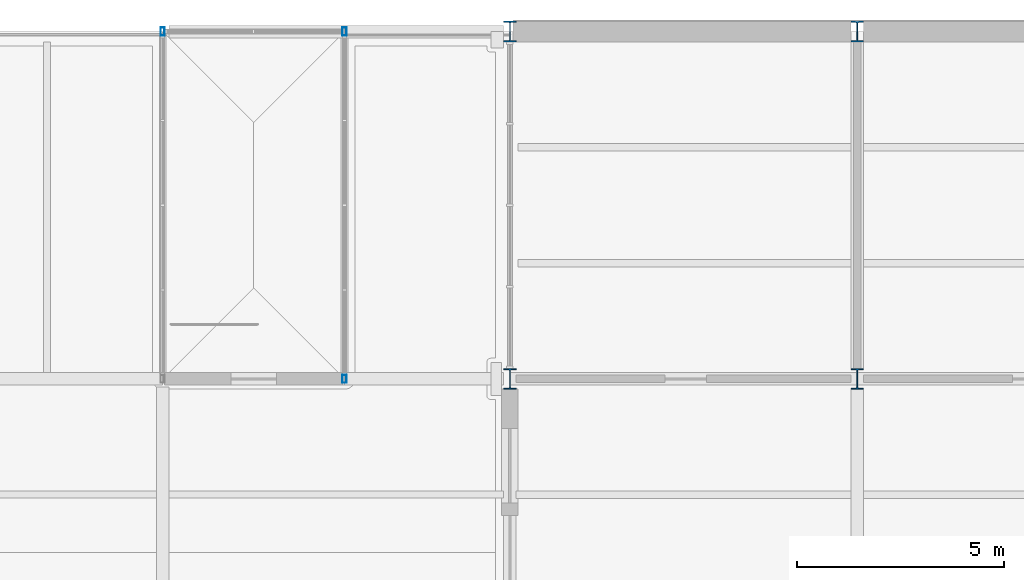
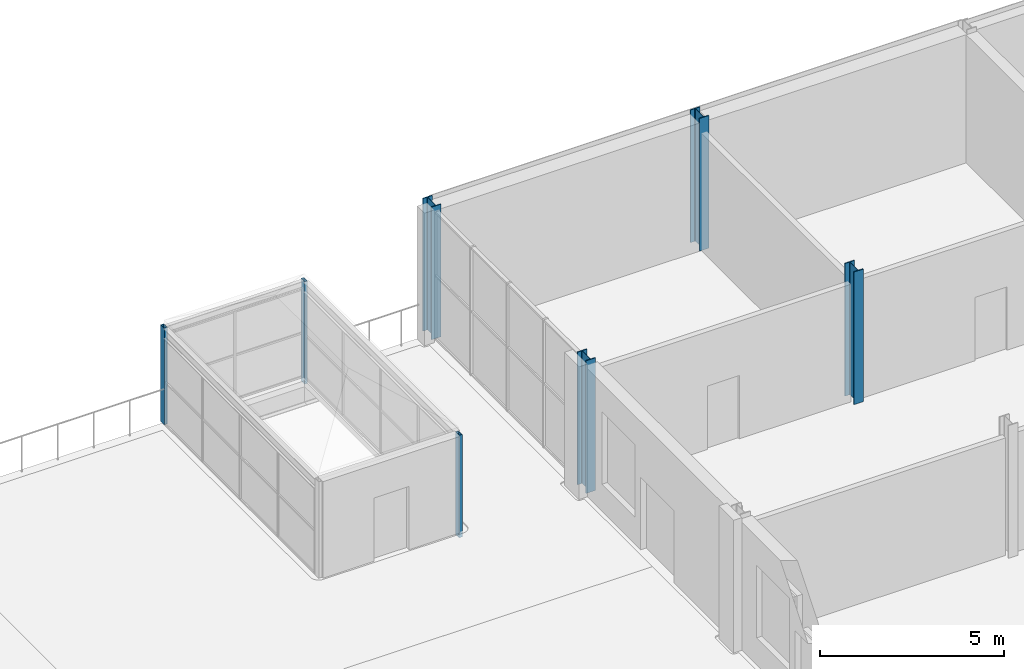
# One storey, part 9 of 58: 7 columns.
"""IFC4 building model written with IfcOpenShell, lengths in metres."""

import ifcopenshell
import ifcopenshell.guid

model = None  # the IFC model being written
_history = None  # IfcOwnerHistory: only IFC2X3 demands one
_inside = {}  # id of a spatial element -> (the spatial element, [elements in it])
_under = {}  # id of a project, library or spatial element -> (it, [spatial elements below it])
_declared = {}  # id of a project -> (the project, [libraries it declares])
_typed = {}  # id of a type object -> (the type object, [elements of that type])
_made_of = {}  # id of a material, layer set ... -> (it, [elements and type objects made of it])


def new_model(schema):
    """Start an empty IFC model of exactly this schema.

    Asked for "IFC4X3", IfcOpenShell would pick the latest addendum, in which some entities
    have other attributes; the version numbers below select the first issue.
    IFC2X3 requires an IfcOwnerHistory on every rooted entity: one is made here for all.
    """
    global model, _history
    if schema == "IFC4X3":
        model = ifcopenshell.file(schema_version=(4, 3, 0, 0))
    else:
        model = ifcopenshell.file(schema=schema)
    _inside.clear()
    _under.clear()
    _declared.clear()
    _typed.clear()
    _made_of.clear()
    _history = None
    if model.schema == "IFC2X3":
        org = make("IfcOrganization", Name="unknown")
        user = make(
            "IfcPersonAndOrganization",
            ThePerson=make("IfcPerson", FamilyName="unknown"),
            TheOrganization=org,
        )
        app = make(
            "IfcApplication",
            ApplicationDeveloper=org,
            Version="unknown",
            ApplicationFullName="unknown",
            ApplicationIdentifier="unknown",
        )
        _history = make(
            "IfcOwnerHistory",
            OwningUser=user,
            OwningApplication=app,
            ChangeAction="ADDED",
            CreationDate=0,
        )
    return model


def make(cls, **values):
    """One entity of the class cls with the attributes given. An attribute that is None is left unset."""
    return model.create_entity(
        cls, **{name: value for name, value in values.items() if value is not None}
    )


def rooted(cls, **values):
    """An entity with a GlobalId (a new one), such as an element, a storey or a relation."""
    return make(cls, GlobalId=ifcopenshell.guid.new(), OwnerHistory=_history, **values)


def si_unit(unit_type, name, prefix=None):
    """IfcSIUnit, for example si_unit("LENGTHUNIT", "METRE", prefix="MILLI")."""
    return make("IfcSIUnit", UnitType=unit_type, Prefix=prefix, Name=name)


def assignment(units):
    """IfcUnitAssignment: the units of a project."""
    return None if units is None else make("IfcUnitAssignment", Units=units)


def point(xyz):
    """IfcCartesianPoint."""
    return None if xyz is None else make("IfcCartesianPoint", Coordinates=xyz)


def direction(xyz):
    """IfcDirection."""
    return None if xyz is None else make("IfcDirection", DirectionRatios=xyz)


def frame(location, z_axis=None, x_axis=None):
    """IfcAxis2Placement3D, a coordinate frame: its origin and axes. An axis left out is left unset."""
    return make(
        "IfcAxis2Placement3D",
        Location=point(location),
        Axis=direction(z_axis),
        RefDirection=direction(x_axis),
    )


def frame_2d(location, x_axis=None):
    """IfcAxis2Placement2D, a coordinate frame in the plane: its origin and x axis."""
    return make(
        "IfcAxis2Placement2D", Location=point(location), RefDirection=direction(x_axis)
    )


def origin():
    """The frame at (0, 0, 0) with its axes left unset."""
    return frame((0.0, 0.0, 0.0))


def origin_2d():
    """The frame at (0, 0) in the plane with its x axis left unset."""
    return frame_2d((0.0, 0.0))


def place(relative_to, where):
    """IfcLocalPlacement: puts the frame where relative to a parent placement (None: the world)."""
    return make(
        "IfcLocalPlacement", PlacementRelTo=relative_to, RelativePlacement=where
    )


def context(
    kind, dimensions, precision=None, world=None, true_north=None, identifier=None
):
    """IfcGeometricRepresentationContext, for example the 3D "Model" context."""
    return make(
        "IfcGeometricRepresentationContext",
        ContextIdentifier=identifier,
        ContextType=kind,
        CoordinateSpaceDimension=dimensions,
        Precision=precision,
        WorldCoordinateSystem=world,
        TrueNorth=true_north,
    )


def subcontext(parent, identifier, kind, view, scale=None):
    """IfcGeometricRepresentationSubContext, for example "Body" below "Model"."""
    return make(
        "IfcGeometricRepresentationSubContext",
        ContextIdentifier=identifier,
        ContextType=kind,
        ParentContext=parent,
        TargetScale=scale,
        TargetView=view,
    )


def project(units=None, contexts=None):
    """IfcProject with its units and contexts."""
    return rooted(
        "IfcProject",
        Name="project",
        RepresentationContexts=contexts,
        UnitsInContext=assignment(units),
    )


def spatial(cls, under=None, at=None, **own):
    """A site, building, storey or space (cls), placed at a placement, below another one or the project."""
    s = rooted(cls, ObjectPlacement=at, **own)
    if under is not None:
        _under.setdefault(under.id(), (under, []))[1].append(s)
    return s


def profile(cls, at=None, kind="AREA", **sizes):
    """A parametric profile (cls). Its sizes go by their IFC names, for example OverallWidth=200.0."""
    return make(cls, ProfileType=kind, Position=at, **sizes)


def hollow_rectangle(**sizes):
    """IfcRectangleHollowProfileDef."""
    return profile("IfcRectangleHollowProfileDef", **sizes)


def i_section(**sizes):
    """IfcIShapeProfileDef."""
    return profile("IfcIShapeProfileDef", **sizes)


def extrude(swept, where, along, depth):
    """IfcExtrudedAreaSolid: the profile swept, set in the frame where, extruded along a direction by depth."""
    return make(
        "IfcExtrudedAreaSolid",
        SweptArea=swept,
        Position=where,
        ExtrudedDirection=direction(along),
        Depth=depth,
    )


def shape(context_of_items, identifier, shape_type, items):
    """IfcShapeRepresentation: the items that make up one representation, for example the "Body"."""
    return make(
        "IfcShapeRepresentation",
        ContextOfItems=context_of_items,
        RepresentationIdentifier=identifier,
        RepresentationType=shape_type,
        Items=items,
    )


def material(Name=None, Category=None):
    """IfcMaterial."""
    return make("IfcMaterial", Name=Name, Category=Category)


def material_profile(
    of_material, cross_section, Name=None, Category=None, Priority=None
):
    """IfcMaterialProfile: a cross section and its material."""
    return make(
        "IfcMaterialProfile",
        Name=Name,
        Material=of_material,
        Profile=cross_section,
        Priority=Priority,
        Category=Category,
    )


def profile_set(profiles, Name=None, composite=None):
    """IfcMaterialProfileSet."""
    return make(
        "IfcMaterialProfileSet",
        Name=Name,
        MaterialProfiles=profiles,
        CompositeProfile=composite,
    )


def made_of(thing, what):
    """Note that an element or type object is made of a material, layer set ...; save() writes the relation."""
    if what is not None:
        _made_of.setdefault(what.id(), (what, []))[1].append(thing)
    return thing


def type_object(cls, material=None, **own):
    """A type object (cls), such as IfcWallType, which elements share."""
    return made_of(rooted(cls, **own), material)


def element(
    cls,
    number,
    at=None,
    inside=None,
    cuts=None,
    type_object=None,
    material=None,
    context=None,
    identifier="Body",
    shape_type=None,
    held_by="IfcProductDefinitionShape",
    body=None,
    shapes=None,
    **own,
):
    """One element of the class cls, such as IfcWall. Its Tag is "e" and its number.

    at: its placement. inside: the storey or other place that contains it. cuts: it is an
    opening in that element (IfcRelVoidsElement). A single representation is given by context,
    identifier, shape_type and body (its items); several are given by shapes. held_by: the class
    of the entity that holds the representations. save() writes the other relations.
    """
    e = rooted(cls, Tag="e%d" % number, ObjectPlacement=at, **own)
    if body is not None:
        shapes = [shape(context, identifier, shape_type, body)]
    if shapes is not None:
        e.Representation = make(held_by, Representations=shapes)
    if inside is not None:
        _inside.setdefault(inside.id(), (inside, []))[1].append(e)
    if cuts is not None:
        rooted(
            "IfcRelVoidsElement", RelatingBuildingElement=cuts, RelatedOpeningElement=e
        )
    if type_object is not None:
        _typed.setdefault(type_object.id(), (type_object, []))[1].append(e)
    return made_of(e, material)


def aggregate(whole, parts):
    """IfcRelAggregates: a whole, such as a stair, and the parts it consists of."""
    return rooted("IfcRelAggregates", RelatingObject=whole, RelatedObjects=parts)


def save(model, path):
    """Write the relations noted so far, then the file.

    IfcRelAggregates (storeys below a building ...), IfcRelContainedInSpatialStructure (elements
    in a storey), IfcRelDefinesByType, IfcRelAssociatesMaterial and IfcRelDeclares: one each for
    every whole, place, type object, material and project.
    """
    for whole, parts in _under.values():
        aggregate(whole, parts)
    for where, things in _inside.values():
        rooted(
            "IfcRelContainedInSpatialStructure",
            RelatedElements=things,
            RelatingStructure=where,
        )
    for kind, things in _typed.values():
        rooted("IfcRelDefinesByType", RelatedObjects=things, RelatingType=kind)
    for what, things in _made_of.values():
        rooted("IfcRelAssociatesMaterial", RelatedObjects=things, RelatingMaterial=what)
    for by, libraries in _declared.values():
        rooted("IfcRelDeclares", RelatingContext=by, RelatedDefinitions=libraries)
    model.write(path)


model = new_model("IFC4")

# Units and contexts
model_context = context("Model", 3, precision=1e-05, world=origin(), true_north=direction((0.0, 1.0)))
body_context = subcontext(model_context, "Body", "Model", "MODEL_VIEW")
ifc_project = project(units=[si_unit("LENGTHUNIT", "METRE"), si_unit("AREAUNIT", "SQUARE_METRE"), si_unit("VOLUMEUNIT", "CUBIC_METRE"), si_unit("PLANEANGLEUNIT", "RADIAN"), si_unit("MASSUNIT", "GRAM", prefix="KILO")], contexts=[model_context])

# Site, building, storey
site_placement = place(None, origin())
site = spatial("IfcSite", under=ifc_project, at=site_placement, CompositionType="ELEMENT")
building_placement = place(site_placement, origin())
building = spatial("IfcBuilding", under=site, at=building_placement, Name="Galleria Vessillo Department Store", CompositionType="ELEMENT")
storey_placement = place(building_placement, frame((0.0, 0.0, 31.199951171875)))
storey = spatial("IfcBuildingStorey", under=building, at=storey_placement, Name="L06", CompositionType="ELEMENT", Elevation=31.199951171875)

# Columns
ifc_material_1 = material(Name="Steel S355 J2", Category="steel")
ifc_material_profile_1 = material_profile(ifc_material_1, i_section(OverallWidth=0.300048828125, OverallDepth=0.5, WebThickness=0.014404296875, FlangeThickness=0.028076171875, FilletRadius=0.027099609375, at=origin_2d()), Name="HEB 500")
ifc_profile_set_1 = profile_set([ifc_material_profile_1], Name="Steel S355 J2")
column_type_1 = type_object("IfcColumnType", Name="Steel column HEB 500 CT3", PredefinedType="COLUMN", material=ifc_profile_set_1)
for number, where, z_axis, x_axis, name in (
    (1, (84.0, 54.60009765625, 0.0), (0.0, 0.0, 1.0), (1.0, 0.0, 0.0), "S-COL-L06-11-G"),
    (2, (84.0, 63.0, 0.0), (0.0, 0.0, 1.0), (1.0, 0.0, 0.0), "S-COL-L06-11-H"),
    (3, (92.39990234375, 54.60009765625, 0.0), (0.0, 0.0, 1.0), (1.0, 0.0, 0.0), "S-COL-L06-12-G"),
    (4, (92.39990234375, 63.0, 0.0), (0.0, 0.0, 1.0), (1.0, 0.0, 0.0), "S-COL-L06-12-H"),
):
    element("IfcColumn", number, at=place(storey_placement, frame(where, z_axis=z_axis, x_axis=x_axis)), inside=storey, type_object=column_type_1, Name=name, PredefinedType="COLUMN", context=body_context, shape_type="SweptSolid", body=[
        extrude(i_section(OverallWidth=0.300048828125, OverallDepth=0.5, WebThickness=0.014404296875, FlangeThickness=0.028076171875, FilletRadius=0.027099609375, at=origin_2d()), origin(), (0.0, 0.0, 1.0), 4.400146484375),
    ])
ifc_material_2 = material(Name="Steel S355 J2", Category="steel")
ifc_material_profile_2 = material_profile(ifc_material_2, hollow_rectangle(XDim=0.10009765625, YDim=0.199951171875, WallThickness=0.008056640625, at=origin_2d()), Name="RHS 200x100x8")
ifc_profile_set_2 = profile_set([ifc_material_profile_2], Name="Steel S355 J2")
column_type_2 = type_object("IfcColumnType", Name="Steel post RHS 200x100x8", PredefinedType="COLUMN", material=ifc_profile_set_2)
column_placement = place(storey_placement, frame((75.60009765625, 63.0, 0.0), z_axis=(0.0, 0.0, 1.0), x_axis=(1.0, 0.0, 0.0)))
element("IfcColumn", 5, at=column_placement, inside=storey, type_object=column_type_2, Name="S-PP-ST6-1", PredefinedType="COLUMN", context=body_context, shape_type="SweptSolid", body=[
    extrude(hollow_rectangle(XDim=0.10009765625, YDim=0.199951171875, WallThickness=0.008056640625, at=origin_2d()), origin(), (0.0, 0.0, 1.0), 3.2001953125),
])
for number, where, z_axis, x_axis, name in (
    (6, (80.0, 63.0, -0.199951171875), (0.0, 0.0, 1.0), (1.0, 0.0, 0.0), "S-PP-ST6-2"),
    (7, (80.0, 54.60009765625, -0.199951171875), (0.0, 0.0, 1.0), (1.0, 0.0, 0.0), "S-PP-ST6-4"),
):
    element("IfcColumn", number, at=place(storey_placement, frame(where, z_axis=z_axis, x_axis=x_axis)), inside=storey, type_object=column_type_2, Name=name, PredefinedType="COLUMN", context=body_context, shape_type="SweptSolid", body=[
        extrude(hollow_rectangle(XDim=0.10009765625, YDim=0.199951171875, WallThickness=0.008056640625, at=origin_2d()), origin(), (0.0, 0.0, 1.0), 3.400146484375),
    ])

save(model, "model.ifc")
